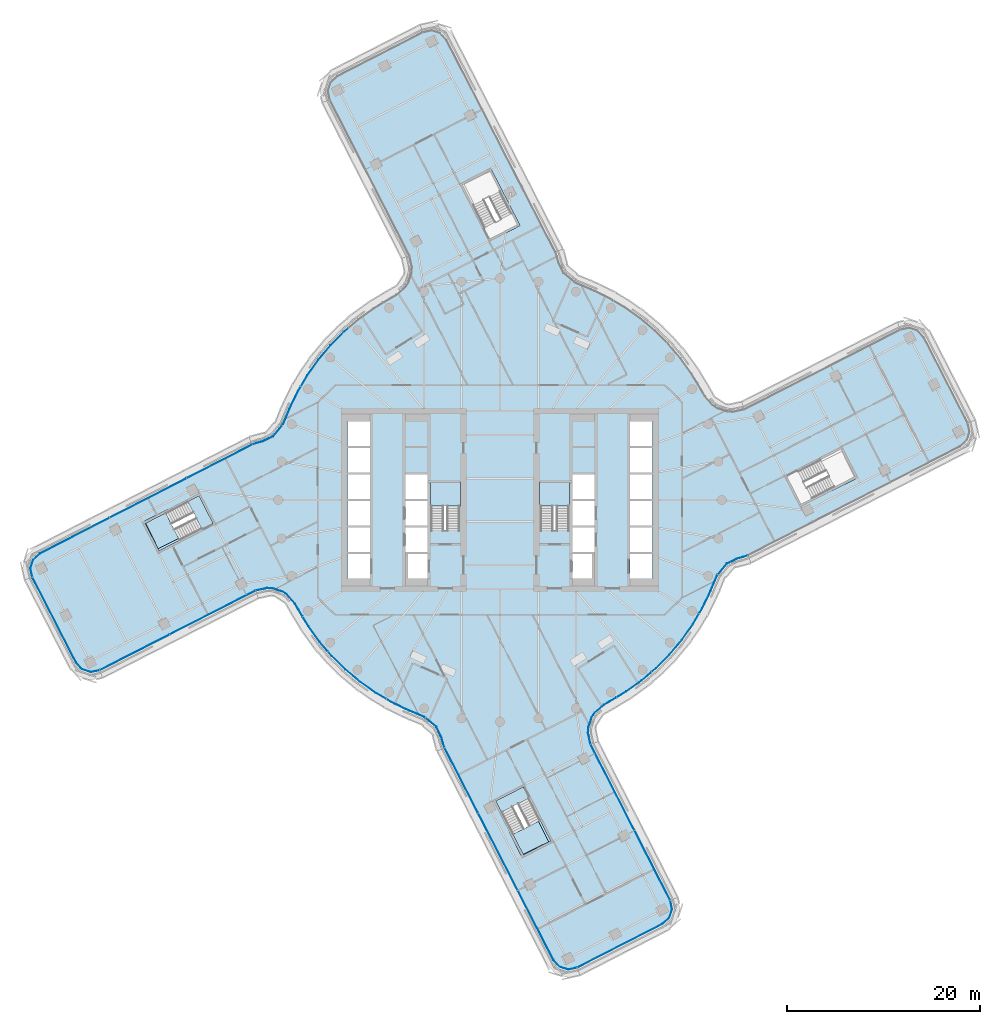
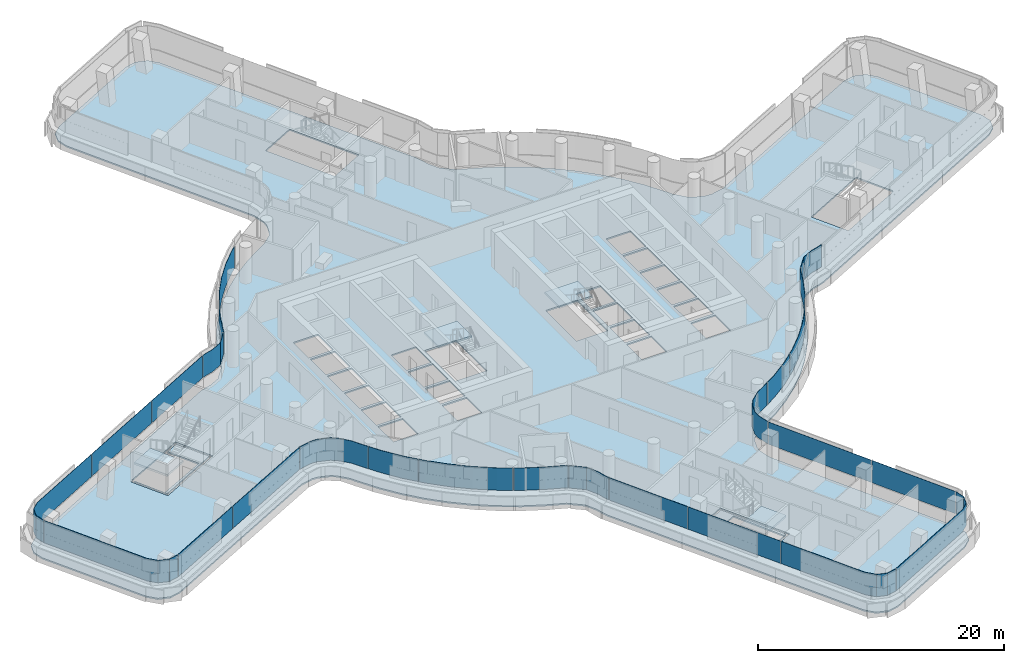
# One storey, part 20 of 37: 25 plates, 7 slabs, 13 elements without a shape of their own.
"""IFC4 building model written with IfcOpenShell, lengths in metres."""

import ifcopenshell
import ifcopenshell.guid

model = None  # the IFC model being written
_history = None  # IfcOwnerHistory: only IFC2X3 demands one
_inside = {}  # id of a spatial element -> (the spatial element, [elements in it])
_under = {}  # id of a project, library or spatial element -> (it, [spatial elements below it])
_declared = {}  # id of a project -> (the project, [libraries it declares])
_typed = {}  # id of a type object -> (the type object, [elements of that type])
_made_of = {}  # id of a material, layer set ... -> (it, [elements and type objects made of it])


def new_model(schema):
    """Start an empty IFC model of exactly this schema.

    Asked for "IFC4X3", IfcOpenShell would pick the latest addendum, in which some entities
    have other attributes; the version numbers below select the first issue.
    IFC2X3 requires an IfcOwnerHistory on every rooted entity: one is made here for all.
    """
    global model, _history
    if schema == "IFC4X3":
        model = ifcopenshell.file(schema_version=(4, 3, 0, 0))
    else:
        model = ifcopenshell.file(schema=schema)
    _inside.clear()
    _under.clear()
    _declared.clear()
    _typed.clear()
    _made_of.clear()
    _history = None
    if model.schema == "IFC2X3":
        org = make("IfcOrganization", Name="unknown")
        user = make(
            "IfcPersonAndOrganization",
            ThePerson=make("IfcPerson", FamilyName="unknown"),
            TheOrganization=org,
        )
        app = make(
            "IfcApplication",
            ApplicationDeveloper=org,
            Version="unknown",
            ApplicationFullName="unknown",
            ApplicationIdentifier="unknown",
        )
        _history = make(
            "IfcOwnerHistory",
            OwningUser=user,
            OwningApplication=app,
            ChangeAction="ADDED",
            CreationDate=0,
        )
    return model


def make(cls, **values):
    """One entity of the class cls with the attributes given. An attribute that is None is left unset."""
    return model.create_entity(
        cls, **{name: value for name, value in values.items() if value is not None}
    )


def rooted(cls, **values):
    """An entity with a GlobalId (a new one), such as an element, a storey or a relation."""
    return make(cls, GlobalId=ifcopenshell.guid.new(), OwnerHistory=_history, **values)


def si_unit(unit_type, name, prefix=None):
    """IfcSIUnit, for example si_unit("LENGTHUNIT", "METRE", prefix="MILLI")."""
    return make("IfcSIUnit", UnitType=unit_type, Prefix=prefix, Name=name)


def assignment(units):
    """IfcUnitAssignment: the units of a project."""
    return None if units is None else make("IfcUnitAssignment", Units=units)


def point(xyz):
    """IfcCartesianPoint."""
    return None if xyz is None else make("IfcCartesianPoint", Coordinates=xyz)


def direction(xyz):
    """IfcDirection."""
    return None if xyz is None else make("IfcDirection", DirectionRatios=xyz)


def frame(location, z_axis=None, x_axis=None):
    """IfcAxis2Placement3D, a coordinate frame: its origin and axes. An axis left out is left unset."""
    return make(
        "IfcAxis2Placement3D",
        Location=point(location),
        Axis=direction(z_axis),
        RefDirection=direction(x_axis),
    )


def origin():
    """The frame at (0, 0, 0) with its axes left unset."""
    return frame((0.0, 0.0, 0.0))


def place(relative_to, where):
    """IfcLocalPlacement: puts the frame where relative to a parent placement (None: the world)."""
    return make(
        "IfcLocalPlacement", PlacementRelTo=relative_to, RelativePlacement=where
    )


def context(
    kind, dimensions, precision=None, world=None, true_north=None, identifier=None
):
    """IfcGeometricRepresentationContext, for example the 3D "Model" context."""
    return make(
        "IfcGeometricRepresentationContext",
        ContextIdentifier=identifier,
        ContextType=kind,
        CoordinateSpaceDimension=dimensions,
        Precision=precision,
        WorldCoordinateSystem=world,
        TrueNorth=true_north,
    )


def subcontext(parent, identifier, kind, view, scale=None):
    """IfcGeometricRepresentationSubContext, for example "Body" below "Model"."""
    return make(
        "IfcGeometricRepresentationSubContext",
        ContextIdentifier=identifier,
        ContextType=kind,
        ParentContext=parent,
        TargetScale=scale,
        TargetView=view,
    )


def project(units=None, contexts=None):
    """IfcProject with its units and contexts."""
    return rooted(
        "IfcProject",
        Name="project",
        RepresentationContexts=contexts,
        UnitsInContext=assignment(units),
    )


def spatial(cls, under=None, at=None, **own):
    """A site, building, storey or space (cls), placed at a placement, below another one or the project."""
    s = rooted(cls, ObjectPlacement=at, **own)
    if under is not None:
        _under.setdefault(under.id(), (under, []))[1].append(s)
    return s


def polyline(points):
    """IfcPolyline through the points."""
    return make("IfcPolyline", Points=[point(p) for p in points])


def outline(outer, holes=None, kind="AREA"):
    """IfcArbitraryClosedProfileDef: a profile drawn as a closed curve; with holes, ...WithVoids."""
    if holes is None:
        return make("IfcArbitraryClosedProfileDef", ProfileType=kind, OuterCurve=outer)
    return make(
        "IfcArbitraryProfileDefWithVoids",
        ProfileType=kind,
        OuterCurve=outer,
        InnerCurves=holes,
    )


def extrude(swept, where, along, depth):
    """IfcExtrudedAreaSolid: the profile swept, set in the frame where, extruded along a direction by depth."""
    return make(
        "IfcExtrudedAreaSolid",
        SweptArea=swept,
        Position=where,
        ExtrudedDirection=direction(along),
        Depth=depth,
    )


def shape(context_of_items, identifier, shape_type, items):
    """IfcShapeRepresentation: the items that make up one representation, for example the "Body"."""
    return make(
        "IfcShapeRepresentation",
        ContextOfItems=context_of_items,
        RepresentationIdentifier=identifier,
        RepresentationType=shape_type,
        Items=items,
    )


def material(Name=None, Category=None):
    """IfcMaterial."""
    return make("IfcMaterial", Name=Name, Category=Category)


def layer(
    of_material, thickness, ventilated=None, Name=None, Category=None, Priority=None
):
    """IfcMaterialLayer: one layer of a wall or slab, of a material (None: an air gap)."""
    return make(
        "IfcMaterialLayer",
        Material=of_material,
        LayerThickness=thickness,
        IsVentilated=ventilated,
        Name=Name,
        Category=Category,
        Priority=Priority,
    )


def layer_set(layers, Name=None):
    """IfcMaterialLayerSet."""
    return make("IfcMaterialLayerSet", MaterialLayers=layers, LayerSetName=Name)


def made_of(thing, what):
    """Note that an element or type object is made of a material, layer set ...; save() writes the relation."""
    if what is not None:
        _made_of.setdefault(what.id(), (what, []))[1].append(thing)
    return thing


def type_object(cls, material=None, **own):
    """A type object (cls), such as IfcWallType, which elements share."""
    return made_of(rooted(cls, **own), material)


def element(
    cls,
    number,
    at=None,
    inside=None,
    cuts=None,
    type_object=None,
    material=None,
    context=None,
    identifier="Body",
    shape_type=None,
    held_by="IfcProductDefinitionShape",
    body=None,
    shapes=None,
    **own,
):
    """One element of the class cls, such as IfcWall. Its Tag is "e" and its number.

    at: its placement. inside: the storey or other place that contains it. cuts: it is an
    opening in that element (IfcRelVoidsElement). A single representation is given by context,
    identifier, shape_type and body (its items); several are given by shapes. held_by: the class
    of the entity that holds the representations. save() writes the other relations.
    """
    e = rooted(cls, Tag="e%d" % number, ObjectPlacement=at, **own)
    if body is not None:
        shapes = [shape(context, identifier, shape_type, body)]
    if shapes is not None:
        e.Representation = make(held_by, Representations=shapes)
    if inside is not None:
        _inside.setdefault(inside.id(), (inside, []))[1].append(e)
    if cuts is not None:
        rooted(
            "IfcRelVoidsElement", RelatingBuildingElement=cuts, RelatedOpeningElement=e
        )
    if type_object is not None:
        _typed.setdefault(type_object.id(), (type_object, []))[1].append(e)
    return made_of(e, material)


def aggregate(whole, parts):
    """IfcRelAggregates: a whole, such as a stair, and the parts it consists of."""
    return rooted("IfcRelAggregates", RelatingObject=whole, RelatedObjects=parts)


def save(model, path):
    """Write the relations noted so far, then the file.

    IfcRelAggregates (storeys below a building ...), IfcRelContainedInSpatialStructure (elements
    in a storey), IfcRelDefinesByType, IfcRelAssociatesMaterial and IfcRelDeclares: one each for
    every whole, place, type object, material and project.
    """
    for whole, parts in _under.values():
        aggregate(whole, parts)
    for where, things in _inside.values():
        rooted(
            "IfcRelContainedInSpatialStructure",
            RelatedElements=things,
            RelatingStructure=where,
        )
    for kind, things in _typed.values():
        rooted("IfcRelDefinesByType", RelatedObjects=things, RelatingType=kind)
    for what, things in _made_of.values():
        rooted("IfcRelAssociatesMaterial", RelatedObjects=things, RelatingMaterial=what)
    for by, libraries in _declared.values():
        rooted("IfcRelDeclares", RelatingContext=by, RelatedDefinitions=libraries)
    model.write(path)


model = new_model("IFC4")

# Units and contexts
model_context = context("Model", 3, precision=1e-05, world=origin(), true_north=direction((0.0, 1.0)))
body_context = subcontext(model_context, "Body", "Model", "MODEL_VIEW")
ifc_project = project(units=[si_unit("LENGTHUNIT", "METRE"), si_unit("AREAUNIT", "SQUARE_METRE"), si_unit("VOLUMEUNIT", "CUBIC_METRE"), si_unit("PLANEANGLEUNIT", "RADIAN"), si_unit("MASSUNIT", "GRAM", prefix="KILO")], contexts=[model_context])

# Site, building, storey
site_placement = place(None, origin())
site = spatial("IfcSite", under=ifc_project, at=site_placement, CompositionType="ELEMENT")
building_placement = place(site_placement, origin())
building = spatial("IfcBuilding", under=site, at=building_placement, Name="Tamarind Cross Interchange Tower", CompositionType="ELEMENT")
storey_placement = place(building_placement, frame((0.0, 0.0, 133.0)))
storey = spatial("IfcBuildingStorey", under=building, at=storey_placement, Name="L32", CompositionType="ELEMENT", Elevation=133.0)

# Slabs
ifc_material_1 = material(Name="Concrete C35", Category="concrete")
ifc_layer_1 = layer(ifc_material_1, 0.139892578125)
ifc_layer_set_1 = layer_set([ifc_layer_1], Name="Concrete C35")
slab_type_1 = type_object("IfcSlabType", Name="Composite slab 140 Concrete C35", PredefinedType="FLOOR", material=ifc_layer_set_1)
slab_1_placement = place(storey_placement, frame((0.0, 0.0, -0.139892578125)))
element("IfcSlab", 1, at=slab_1_placement, inside=storey, type_object=slab_type_1, Name="Floor slab L32", PredefinedType="FLOOR", context=body_context, shape_type="SweptSolid", body=[
    extrude(outline(polyline([(-25.289794921875, 6.10302734375), (-25.781494140625, 5.92724609375), (-47.822509765625, -5.383056640625), (-48.590087890625, -6.078125), (-48.906982421875, -7.063720703125), (-48.68896484375, -8.07568359375), (-44.123291015625, -16.97265625), (-43.428466796875, -17.739990234375), (-42.44287109375, -18.056884765625), (-41.430908203125, -17.8388671875), (-25.267333984375, -9.58349609375), (-24.12060546875, -9.340087890625), (-23.606689453125, -9.368896484375), (-22.621337890625, -9.696533203125), (-22.192626953125, -9.981201171875), (-21.419921875, -10.86279296875), (-21.054443359375, -11.511474609375), (-20.031982421875, -13.2109375), (-18.87255859375, -14.820068359375), (-17.584228515625, -16.327880859375), (-16.17578125, -17.72412109375), (-14.656982421875, -18.99951171875), (-13.0380859375, -20.14501953125), (-11.329833984375, -21.15283203125), (-9.54443359375, -22.01611328125), (-7.959228515625, -22.6669921875), (-6.756591796875, -23.6669921875), (-6.2724609375, -24.647216796875), (-6.10302734375, -25.289794921875), (-5.92724609375, -25.781494140625), (5.383056640625, -47.822509765625), (6.078125, -48.590087890625), (7.063720703125, -48.906982421875), (8.07568359375, -48.68896484375), (16.97265625, -44.123291015625), (17.739990234375, -43.428466796875), (18.056884765625, -42.44287109375), (17.8388671875, -41.430908203125), (9.58349609375, -25.267333984375), (9.340087890625, -24.12060546875), (9.368896484375, -23.606689453125), (9.696533203125, -22.621337890625), (9.981201171875, -22.192626953125), (10.86279296875, -21.419921875), (11.511474609375, -21.054443359375), (13.2109375, -20.031982421875), (14.820068359375, -18.87255859375), (16.327880859375, -17.584228515625), (17.72412109375, -16.17578125), (18.99951171875, -14.656982421875), (20.14501953125, -13.0380859375), (21.15283203125, -11.329833984375), (22.01611328125, -9.54443359375), (22.6669921875, -7.959228515625), (23.6669921875, -6.756591796875), (24.647216796875, -6.2724609375), (25.289794921875, -6.10302734375), (25.781494140625, -5.92724609375), (47.822509765625, 5.383056640625), (48.590087890625, 6.078125), (48.906982421875, 7.063720703125), (48.68896484375, 8.07568359375), (44.123291015625, 16.97265625), (43.428466796875, 17.739990234375), (42.44287109375, 18.056884765625), (41.430908203125, 17.8388671875), (25.267333984375, 9.58349609375), (24.12060546875, 9.340087890625), (23.606689453125, 9.368896484375), (22.621337890625, 9.696533203125), (22.192626953125, 9.981201171875), (21.419921875, 10.86279296875), (21.054443359375, 11.511474609375), (20.031982421875, 13.2109375), (18.87255859375, 14.820068359375), (17.584228515625, 16.327880859375), (16.17578125, 17.72412109375), (14.656982421875, 18.99951171875), (13.0380859375, 20.14501953125), (11.329833984375, 21.15283203125), (9.54443359375, 22.01611328125), (7.959228515625, 22.6669921875), (6.756591796875, 23.6669921875), (6.2724609375, 24.647216796875), (6.10302734375, 25.289794921875), (5.92724609375, 25.781494140625), (-5.383056640625, 47.822509765625), (-6.078125, 48.590087890625), (-7.063720703125, 48.906982421875), (-8.07568359375, 48.68896484375), (-16.97265625, 44.123291015625), (-17.739990234375, 43.428466796875), (-18.056884765625, 42.44287109375), (-17.8388671875, 41.430908203125), (-9.58349609375, 25.267333984375), (-9.340087890625, 24.12060546875), (-9.368896484375, 23.606689453125), (-9.696533203125, 22.621337890625), (-9.981201171875, 22.192626953125), (-10.86279296875, 21.419921875), (-11.511474609375, 21.054443359375), (-13.2109375, 20.031982421875), (-14.820068359375, 18.87255859375), (-16.327880859375, 17.584228515625), (-17.72412109375, 16.17578125), (-18.99951171875, 14.656982421875), (-20.14501953125, 13.0380859375), (-21.15283203125, 11.329833984375), (-22.01611328125, 9.54443359375), (-22.6669921875, 7.959228515625), (-23.6669921875, 6.756591796875), (-24.647216796875, 6.2724609375), (-25.289794921875, 6.10302734375)]), holes=[polyline([(-13.5, -8.125), (-15.800048828125, -8.125), (-15.800048828125, -5.625), (-13.5, -5.625), (-13.5, -8.125)]), polyline([(-7.5, -8.125), (-9.800048828125, -8.125), (-9.800048828125, -5.625), (-7.5, -5.625), (-7.5, -8.125)]), polyline([(-13.5, -5.375), (-15.800048828125, -5.375), (-15.800048828125, -2.875), (-13.5, -2.875), (-13.5, -5.375)]), polyline([(-29.487548828125, -2.493408203125), (-35.448486328125, -5.552490234375), (-35.539794921875, -5.37451171875), (-37.000732421875, -2.52734375), (-37.092041015625, -2.349365234375), (-36.83837890625, -2.21923828125), (-36.86474609375, -2.165283203125), (-33.9111328125, -0.717041015625), (-31.131103515625, 0.70947265625), (-31.039794921875, 0.531494140625), (-29.578857421875, -2.3154296875), (-29.487548828125, -2.493408203125)]), polyline([(-13.5, -2.625), (-15.800048828125, -2.625), (-15.800048828125, -0.125), (-13.5, -0.125), (-13.5, -2.625)]), polyline([(-7.5, -2.625), (-9.800048828125, -2.625), (-9.800048828125, -0.125), (-7.5, -0.125), (-7.5, -2.625)]), polyline([(-13.5, 0.125), (-15.800048828125, 0.125), (-15.800048828125, 2.625), (-13.5, 2.625), (-13.5, 0.125)]), polyline([(-7.5, 0.125), (-9.800048828125, 0.125), (-9.800048828125, 2.625), (-7.5, 2.625), (-7.5, 0.125)]), polyline([(-13.5, 2.875), (-15.800048828125, 2.875), (-15.800048828125, 5.375), (-13.5, 5.375), (-13.5, 2.875)]), polyline([(-15.800048828125, 5.625), (-15.800048828125, 8.125), (-13.5, 8.125), (-13.5, 5.625), (-15.800048828125, 5.625)]), polyline([(5.552490234375, -35.448486328125), (5.37451171875, -35.539794921875), (2.52734375, -37.000732421875), (2.349365234375, -37.092041015625), (2.21923828125, -36.83837890625), (2.165283203125, -36.86474609375), (0.717041015625, -33.9111328125), (-0.70947265625, -31.131103515625), (-0.531494140625, -31.039794921875), (2.3154296875, -29.578857421875), (2.493408203125, -29.487548828125), (5.552490234375, -35.448486328125)]), polyline([(-9.800048828125, -5.375), (-9.800048828125, -2.875), (-7.5, -2.875), (-7.5, -5.375), (-9.800048828125, -5.375)]), polyline([(-4.199951171875, -3.18798828125), (-7.14990234375, -3.18798828125), (-7.14990234375, 1.800048828125), (-4.199951171875, 1.800048828125), (-4.199951171875, -3.18798828125)]), polyline([(7.14990234375, 1.800048828125), (7.14990234375, -3.18798828125), (4.199951171875, -3.18798828125), (4.199951171875, 1.800048828125), (7.14990234375, 1.800048828125)]), polyline([(7.5, 2.625), (9.800048828125, 2.625), (9.800048828125, 0.125), (7.5, 0.125), (7.5, 2.625)]), polyline([(-0.717041015625, 33.910888671875), (2.0791015625, 28.4619140625), (1.901123046875, 28.37060546875), (-0.94580078125, 26.90966796875), (-1.123779296875, 26.818359375), (-4.1826171875, 32.779296875), (-4.0048828125, 32.87060546875), (-1.15771484375, 34.331787109375), (-0.979736328125, 34.423095703125), (-0.849365234375, 34.168701171875), (-0.844482421875, 34.171142578125), (-0.717041015625, 33.910888671875)]), polyline([(7.5, -5.625), (9.800048828125, -5.625), (9.800048828125, -8.125), (7.5, -8.125), (7.5, -5.625)]), polyline([(15.800048828125, -5.625), (15.800048828125, -8.125), (13.5, -8.125), (13.5, -5.625), (15.800048828125, -5.625)]), polyline([(9.800048828125, -2.875), (9.800048828125, -5.375), (7.5, -5.375), (7.5, -2.875), (9.800048828125, -2.875)]), polyline([(13.5, -2.875), (15.800048828125, -2.875), (15.800048828125, -5.375), (13.5, -5.375), (13.5, -2.875)]), polyline([(7.5, -0.125), (9.800048828125, -0.125), (9.800048828125, -2.625), (7.5, -2.625), (7.5, -0.125)]), polyline([(13.5, -0.125), (15.800048828125, -0.125), (15.800048828125, -2.625), (13.5, -2.625), (13.5, -0.125)]), polyline([(33.9111328125, 0.717041015625), (31.131103515625, -0.70947265625), (31.039794921875, -0.531494140625), (29.578857421875, 2.3154296875), (29.487548828125, 2.493408203125), (35.448486328125, 5.552490234375), (35.539794921875, 5.37451171875), (37.000732421875, 2.52734375), (37.092041015625, 2.349365234375), (36.83837890625, 2.21923828125), (36.86474609375, 2.165283203125), (33.9111328125, 0.717041015625)]), polyline([(13.5, 2.625), (15.800048828125, 2.625), (15.800048828125, 0.125), (13.5, 0.125), (13.5, 2.625)]), polyline([(15.800048828125, 5.375), (15.800048828125, 2.875), (13.5, 2.875), (13.5, 5.375), (15.800048828125, 5.375)]), polyline([(15.800048828125, 8.125), (15.800048828125, 5.625), (13.5, 5.625), (13.5, 8.125), (15.800048828125, 8.125)])]), origin(), (0.0, 0.0, 1.0), 0.139892578125),
])
slab_2_placement = place(storey_placement, frame((0.0, 0.0, -0.139892578125)))
element("IfcSlab", 2, at=slab_2_placement, inside=storey, type_object=slab_type_1, Name="Floor slab L32", PredefinedType="FLOOR", context=body_context, shape_type="SweptSolid", body=[
    extrude(outline(polyline([(-29.756591796875, -2.40673828125), (-31.2177734375, 0.440185546875), (-32.311767578125, -0.12109375), (-32.385009765625, -0.15869140625), (-31.001708984375, -2.8544921875), (-35.4560546875, -5.03857421875), (-36.750244140625, -2.39892578125), (-36.82275390625, -2.43603515625), (-35.36181640625, -5.283203125), (-29.756591796875, -2.40673828125)])), origin(), (0.0, 0.0, 1.0), 0.139892578125),
])
slab_3_placement = place(storey_placement, frame((0.0, 0.0, -0.139892578125)))
element("IfcSlab", 3, at=slab_3_placement, inside=storey, type_object=slab_type_1, Name="Floor slab L32", PredefinedType="FLOOR", context=body_context, shape_type="SweptSolid", body=[
    extrude(outline(polyline([(2.40673828125, -29.756591796875), (-0.440185546875, -31.2177734375), (0.12109375, -32.311767578125), (0.15869140625, -32.385009765625), (2.8544921875, -31.001708984375), (5.03857421875, -35.4560546875), (2.39892578125, -36.750244140625), (2.43603515625, -36.82275390625), (5.283203125, -35.36181640625), (2.40673828125, -29.756591796875)])), origin(), (0.0, 0.0, 1.0), 0.139892578125),
])

# Stair, slab
ifc_material_2 = material(Name="Exit stair")
stair_type = type_object("IfcStairType", Name="Exit stair", PredefinedType="HALF_TURN_STAIR", material=ifc_material_2)
stair_1_placement = place(storey_placement, origin())
stair_1 = element("IfcStair", 4, at=stair_1_placement, inside=storey, type_object=stair_type, Name="L32 exit stair ST1", PredefinedType="HALF_TURN_STAIR")
ifc_material_3 = material(Name="Concrete C40", Category="concrete")
ifc_layer_2 = layer(ifc_material_3, 0.199951171875)
ifc_layer_set_2 = layer_set([ifc_layer_2], Name="Concrete C40")
slab_type_2 = type_object("IfcSlabType", Name="Stair landing", PredefinedType="LANDING", material=ifc_layer_set_2)
slab_4_placement = place(storey_placement, frame((0.0, 0.0, 1.675048828125)))
slab_4 = element("IfcSlab", 5, at=slab_4_placement, type_object=slab_type_2, Name="ST1 landing 1", PredefinedType="LANDING", context=body_context, shape_type="SweptSolid", body=[
    extrude(outline(polyline([(-4.10009765625, -0.60009765625), (-4.10009765625, 1.800048828125), (-7.199951171875, 1.800048828125), (-7.199951171875, -0.60009765625), (-4.10009765625, -0.60009765625)])), origin(), (0.0, 0.0, 1.0), 0.199951171875),
])
aggregate(stair_1, [slab_4])

stair_2_placement = place(storey_placement, origin())
stair_2 = element("IfcStair", 6, at=stair_2_placement, inside=storey, type_object=stair_type, Name="L32 exit stair ST2", PredefinedType="HALF_TURN_STAIR")
slab_5_placement = place(storey_placement, frame((0.0, 0.0, 1.675048828125)))
slab_5 = element("IfcSlab", 7, at=slab_5_placement, type_object=slab_type_2, Name="ST2 landing 1", PredefinedType="LANDING", context=body_context, shape_type="SweptSolid", body=[
    extrude(outline(polyline([(7.199951171875, -0.60009765625), (7.199951171875, 1.800048828125), (4.10009765625, 1.800048828125), (4.10009765625, -0.60009765625), (7.199951171875, -0.60009765625)])), origin(), (0.0, 0.0, 1.0), 0.199951171875),
])
aggregate(stair_2, [slab_5])

stair_3_placement = place(storey_placement, origin())
stair_3 = element("IfcStair", 8, at=stair_3_placement, inside=storey, type_object=stair_type, Name="L32 exit stair ST5", PredefinedType="HALF_TURN_STAIR")
slab_6_placement = place(storey_placement, frame((0.0, 0.0, 1.675048828125)))
slab_6 = element("IfcSlab", 9, at=slab_6_placement, type_object=slab_type_2, Name="ST5 landing 1", PredefinedType="LANDING", context=body_context, shape_type="SweptSolid", body=[
    extrude(outline(polyline([(-34.6767578125, -1.3349609375), (-36.82275390625, -2.43603515625), (-35.36181640625, -5.283203125), (-33.2158203125, -4.181884765625), (-34.6767578125, -1.3349609375)])), origin(), (0.0, 0.0, 1.0), 0.199951171875),
])
aggregate(stair_3, [slab_6])

stair_4_placement = place(storey_placement, origin())
stair_4 = element("IfcStair", 10, at=stair_4_placement, inside=storey, type_object=stair_type, Name="L32 exit stair ST6", PredefinedType="HALF_TURN_STAIR")
slab_7_placement = place(storey_placement, frame((0.0, 0.0, 1.675048828125)))
slab_7 = element("IfcSlab", 11, at=slab_7_placement, type_object=slab_type_2, Name="ST6 landing 1", PredefinedType="LANDING", context=body_context, shape_type="SweptSolid", body=[
    extrude(outline(polyline([(1.3349609375, -34.6767578125), (2.43603515625, -36.82275390625), (5.283203125, -35.36181640625), (4.181884765625, -33.2158203125), (1.3349609375, -34.6767578125)])), origin(), (0.0, 0.0, 1.0), 0.199951171875),
])
aggregate(stair_4, [slab_7])

# Curtain wall, plate
ifc_material_4 = material(Name="Aluminium 6063-T6", Category="aluminium")
ifc_layer_3 = layer(ifc_material_4, 0.159912109375)
ifc_layer_set_3 = layer_set([ifc_layer_3], Name="Aluminium 6063-T6")
curtain_wall_type_1 = type_object("IfcCurtainWallType", Name="Office curtain wall, 9.0 m bays", PredefinedType="NOTDEFINED", material=ifc_layer_set_3)
curtain_wall_1_placement = place(storey_placement, origin())
curtain_wall_1 = element("IfcCurtainWall", 12, at=curtain_wall_1_placement, inside=storey, type_object=curtain_wall_type_1, Name="CWS-L32-00", PredefinedType="NOTDEFINED")
ifc_material_5 = material(Name="Laminated low-e glass 8+1.52+8", Category="glass")
ifc_layer_4 = layer(ifc_material_5, 0.028076171875)
ifc_layer_set_4 = layer_set([ifc_layer_4], Name="Laminated low-e glass 8+1.52+8")
plate_type_1 = type_object("IfcPlateType", Name="Vision panel CW1", PredefinedType="CURTAIN_PANEL", material=ifc_layer_set_4)
plate_1_placement = place(storey_placement, frame((0.0, 0.0, 1.39990234375)))
plate_1 = element("IfcPlate", 13, at=plate_1_placement, type_object=plate_type_1, Name="CWP-L32-00-00", PredefinedType="CURTAIN_PANEL", context=body_context, shape_type="SweptSolid", body=[
    extrude(outline(polyline([(-48.47265625, -8.028076171875), (-43.94580078125, -16.849853515625), (-43.308349609375, -17.5537109375), (-42.431884765625, -17.835693359375), (-41.53076171875, -17.6416015625), (-41.52490234375, -17.6689453125), (-42.433349609375, -17.86474609375), (-43.323974609375, -17.578125), (-43.968994140625, -16.865966796875), (-48.497802734375, -8.040771484375), (-48.47265625, -8.028076171875)])), origin(), (0.0, 0.0, 1.0), 2.210205078125),
])
aggregate(curtain_wall_1, [plate_1])

# Curtain wall, plates
curtain_wall_2_placement = place(storey_placement, origin())
curtain_wall_2 = element("IfcCurtainWall", 14, at=curtain_wall_2_placement, inside=storey, type_object=curtain_wall_type_1, Name="CWS-L32-01", PredefinedType="NOTDEFINED")
plate_2_placement = place(storey_placement, frame((0.0, 0.0, 1.39990234375)))
plate_2 = element("IfcPlate", 15, at=plate_2_placement, type_object=plate_type_1, Name="CWP-L32-01-00", PredefinedType="CURTAIN_PANEL", context=body_context, shape_type="SweptSolid", body=[
    extrude(outline(polyline([(-41.478271484375, -17.622802734375), (-34.289306640625, -13.951171875), (-34.276611328125, -13.97607421875), (-41.465576171875, -17.647705078125), (-41.478271484375, -17.622802734375)])), origin(), (0.0, 0.0, 1.0), 2.210205078125),
])
plate_3_placement = place(storey_placement, frame((0.0, 0.0, 1.39990234375)))
plate_3 = element("IfcPlate", 16, at=plate_3_placement, type_object=plate_type_1, Name="CWP-L32-01-01", PredefinedType="CURTAIN_PANEL", context=body_context, shape_type="SweptSolid", body=[
    extrude(outline(polyline([(-34.236083984375, -13.923828125), (-25.367919921875, -9.39453125), (-25.35498046875, -9.41943359375), (-34.22314453125, -13.94873046875), (-34.236083984375, -13.923828125)])), origin(), (0.0, 0.0, 1.0), 2.210205078125),
])
aggregate(curtain_wall_2, [plate_2, plate_3])

curtain_wall_3_placement = place(storey_placement, origin())
curtain_wall_3 = element("IfcCurtainWall", 17, at=curtain_wall_3_placement, inside=storey, type_object=curtain_wall_type_1, Name="CWS-L32-03", PredefinedType="NOTDEFINED")
plate_4_placement = place(storey_placement, frame((0.0, 0.0, 1.39990234375)))
plate_4 = element("IfcPlate", 18, at=plate_4_placement, type_object=plate_type_1, Name="CWP-L32-03-00", PredefinedType="CURTAIN_PANEL", context=body_context, shape_type="SweptSolid", body=[
    extrude(outline(polyline([(-5.71728515625, -25.72216796875), (-2.261474609375, -32.456787109375), (-2.286376953125, -32.469482421875), (-5.7421875, -25.73486328125), (-5.71728515625, -25.72216796875)])), origin(), (0.0, 0.0, 1.0), 2.210205078125),
])
plate_5_placement = place(storey_placement, frame((0.0, 0.0, 1.39990234375)))
plate_5 = element("IfcPlate", 19, at=plate_5_placement, type_object=plate_type_1, Name="CWP-L32-03-01", PredefinedType="CURTAIN_PANEL", context=body_context, shape_type="SweptSolid", body=[
    extrude(outline(polyline([(-2.23388671875, -32.51025390625), (1.841064453125, -40.451171875), (1.816162109375, -40.464111328125), (-2.2587890625, -32.52294921875), (-2.23388671875, -32.51025390625)])), origin(), (0.0, 0.0, 1.0), 2.210205078125),
])
plate_6_placement = place(storey_placement, frame((0.0, 0.0, 1.39990234375)))
plate_6 = element("IfcPlate", 20, at=plate_6_placement, type_object=plate_type_1, Name="CWP-L32-03-02", PredefinedType="CURTAIN_PANEL", context=body_context, shape_type="SweptSolid", body=[
    extrude(outline(polyline([(1.868408203125, -40.504638671875), (5.560546875, -47.699951171875), (6.1982421875, -48.40380859375), (7.074462890625, -48.685791015625), (7.975341796875, -48.491455078125), (7.9814453125, -48.51904296875), (7.072998046875, -48.714599609375), (6.182373046875, -48.42822265625), (5.537353515625, -47.7158203125), (1.843505859375, -40.517333984375), (1.868408203125, -40.504638671875)])), origin(), (0.0, 0.0, 1.0), 2.210205078125),
])
aggregate(curtain_wall_3, [plate_4, plate_5, plate_6])

# Curtain wall, plate
curtain_wall_4_placement = place(storey_placement, origin())
curtain_wall_4 = element("IfcCurtainWall", 21, at=curtain_wall_4_placement, inside=storey, type_object=curtain_wall_type_1, Name="CWS-L32-04", PredefinedType="NOTDEFINED")
plate_7_placement = place(storey_placement, frame((0.0, 0.0, 1.39990234375)))
plate_7 = element("IfcPlate", 22, at=plate_7_placement, type_object=plate_type_1, Name="CWP-L32-04-00", PredefinedType="CURTAIN_PANEL", context=body_context, shape_type="SweptSolid", body=[
    extrude(outline(polyline([(8.028076171875, -48.47265625), (16.849853515625, -43.94580078125), (17.5537109375, -43.308349609375), (17.835693359375, -42.431884765625), (17.6416015625, -41.53076171875), (17.6689453125, -41.52490234375), (17.86474609375, -42.433349609375), (17.578125, -43.323974609375), (16.865966796875, -43.968994140625), (8.040771484375, -48.497802734375), (8.028076171875, -48.47265625)])), origin(), (0.0, 0.0, 1.0), 2.210205078125),
])
aggregate(curtain_wall_4, [plate_7])

# Curtain wall, plates
curtain_wall_5_placement = place(storey_placement, origin())
curtain_wall_5 = element("IfcCurtainWall", 23, at=curtain_wall_5_placement, inside=storey, type_object=curtain_wall_type_1, Name="CWS-L32-05", PredefinedType="NOTDEFINED")
plate_8_placement = place(storey_placement, frame((0.0, 0.0, 1.39990234375)))
plate_8 = element("IfcPlate", 24, at=plate_8_placement, type_object=plate_type_1, Name="CWP-L32-05-00", PredefinedType="CURTAIN_PANEL", context=body_context, shape_type="SweptSolid", body=[
    extrude(outline(polyline([(17.622802734375, -41.478271484375), (13.951171875, -34.289306640625), (13.97607421875, -34.276611328125), (17.647705078125, -41.465576171875), (17.622802734375, -41.478271484375)])), origin(), (0.0, 0.0, 1.0), 2.210205078125),
])
plate_9_placement = place(storey_placement, frame((0.0, 0.0, 1.39990234375)))
plate_9 = element("IfcPlate", 25, at=plate_9_placement, type_object=plate_type_1, Name="CWP-L32-05-01", PredefinedType="CURTAIN_PANEL", context=body_context, shape_type="SweptSolid", body=[
    extrude(outline(polyline([(13.923828125, -34.236083984375), (9.39453125, -25.367919921875), (9.41943359375, -25.35498046875), (13.94873046875, -34.22314453125), (13.923828125, -34.236083984375)])), origin(), (0.0, 0.0, 1.0), 2.210205078125),
])
aggregate(curtain_wall_5, [plate_8, plate_9])

curtain_wall_6_placement = place(storey_placement, origin())
curtain_wall_6 = element("IfcCurtainWall", 26, at=curtain_wall_6_placement, inside=storey, type_object=curtain_wall_type_1, Name="CWS-L32-15", PredefinedType="NOTDEFINED")
plate_10_placement = place(storey_placement, frame((0.0, 0.0, 1.39990234375)))
plate_10 = element("IfcPlate", 27, at=plate_10_placement, type_object=plate_type_1, Name="CWP-L32-15-00", PredefinedType="CURTAIN_PANEL", context=body_context, shape_type="SweptSolid", body=[
    extrude(outline(polyline([(-25.72216796875, 5.71728515625), (-32.456787109375, 2.261474609375), (-32.469482421875, 2.286376953125), (-25.73486328125, 5.7421875), (-25.72216796875, 5.71728515625)])), origin(), (0.0, 0.0, 1.0), 2.210205078125),
])
plate_11_placement = place(storey_placement, frame((0.0, 0.0, 1.39990234375)))
plate_11 = element("IfcPlate", 28, at=plate_11_placement, type_object=plate_type_1, Name="CWP-L32-15-01", PredefinedType="CURTAIN_PANEL", context=body_context, shape_type="SweptSolid", body=[
    extrude(outline(polyline([(-32.51025390625, 2.23388671875), (-40.451171875, -1.841064453125), (-40.464111328125, -1.816162109375), (-32.52294921875, 2.2587890625), (-32.51025390625, 2.23388671875)])), origin(), (0.0, 0.0, 1.0), 2.210205078125),
])
plate_12_placement = place(storey_placement, frame((0.0, 0.0, 1.39990234375)))
plate_12 = element("IfcPlate", 29, at=plate_12_placement, type_object=plate_type_1, Name="CWP-L32-15-02", PredefinedType="CURTAIN_PANEL", context=body_context, shape_type="SweptSolid", body=[
    extrude(outline(polyline([(-40.504638671875, -1.868408203125), (-47.699951171875, -5.560546875), (-48.40380859375, -6.1982421875), (-48.685791015625, -7.074462890625), (-48.491455078125, -7.975341796875), (-48.51904296875, -7.9814453125), (-48.714599609375, -7.072998046875), (-48.42822265625, -6.182373046875), (-47.7158203125, -5.537353515625), (-40.517333984375, -1.843505859375), (-40.504638671875, -1.868408203125)])), origin(), (0.0, 0.0, 1.0), 2.210205078125),
])
aggregate(curtain_wall_6, [plate_10, plate_11, plate_12])

ifc_layer_5 = layer(ifc_material_4, 0.14990234375)
ifc_layer_set_5 = layer_set([ifc_layer_5], Name="Aluminium 6063-T6")
curtain_wall_type_2 = type_object("IfcCurtainWallType", Name="Winter garden and crown curtain wall", PredefinedType="NOTDEFINED", material=ifc_layer_set_5)
curtain_wall_7_placement = place(storey_placement, origin())
curtain_wall_7 = element("IfcCurtainWall", 30, at=curtain_wall_7_placement, inside=storey, type_object=curtain_wall_type_2, Name="CWS-L32-02", PredefinedType="NOTDEFINED")
ifc_layer_6 = layer(ifc_material_5, 0.030029296875)
ifc_layer_set_6 = layer_set([ifc_layer_6], Name="Laminated low-e glass 8+1.52+8")
plate_type_2 = type_object("IfcPlateType", Name="Vision panel CW6", PredefinedType="CURTAIN_PANEL", material=ifc_layer_set_6)
plate_13_placement = place(storey_placement, frame((0.0, 0.0, 1.39990234375)))
plate_13 = element("IfcPlate", 31, at=plate_13_placement, type_object=plate_type_2, Name="CWP-L32-02-00", PredefinedType="CURTAIN_PANEL", context=body_context, shape_type="SweptSolid", body=[
    extrude(outline(polyline([(-25.30859375, -9.37255859375), (-24.13720703125, -9.1240234375), (-23.566162109375, -9.156005859375), (-22.5263671875, -9.501708984375), (-22.0498046875, -9.81787109375), (-21.243408203125, -10.73779296875), (-20.86865234375, -11.4033203125), (-20.461669921875, -12.079833984375), (-20.4873046875, -12.09521484375), (-20.89453125, -11.41845703125), (-21.26806640625, -10.75537109375), (-22.06982421875, -9.8408203125), (-22.53955078125, -9.52880859375), (-23.57177734375, -9.185791015625), (-24.134765625, -9.154052734375), (-25.30224609375, -9.40185546875), (-25.30859375, -9.37255859375)])), origin(), (0.0, 0.0, 1.0), 2.210205078125),
])
plate_14_placement = place(storey_placement, frame((0.0, 0.0, 1.39990234375)))
plate_14 = element("IfcPlate", 32, at=plate_14_placement, type_object=plate_type_2, Name="CWP-L32-02-01", PredefinedType="CURTAIN_PANEL", context=body_context, shape_type="SweptSolid", body=[
    extrude(outline(polyline([(-20.4306640625, -12.131103515625), (-19.852294921875, -13.09228515625), (-18.703369140625, -14.68701171875), (-17.845458984375, -15.691162109375), (-17.868408203125, -15.710693359375), (-18.72705078125, -14.70556640625), (-19.87744140625, -13.10888671875), (-20.456298828125, -12.146728515625), (-20.4306640625, -12.131103515625)])), origin(), (0.0, 0.0, 1.0), 2.210205078125),
])
plate_15_placement = place(storey_placement, frame((0.0, 0.0, 1.39990234375)))
plate_15 = element("IfcPlate", 33, at=plate_15_placement, type_object=plate_type_2, Name="CWP-L32-02-02", PredefinedType="CURTAIN_PANEL", context=body_context, shape_type="SweptSolid", body=[
    extrude(outline(polyline([(-17.806640625, -15.73681640625), (-17.426513671875, -16.181396484375), (-16.03076171875, -17.565185546875), (-14.525634765625, -18.8291015625), (-12.921142578125, -19.96435546875), (-11.802734375, -20.6240234375), (-11.81787109375, -20.64990234375), (-12.937255859375, -19.989501953125), (-14.5439453125, -18.852783203125), (-16.051025390625, -17.58740234375), (-17.448486328125, -16.201904296875), (-17.829345703125, -15.756103515625), (-17.806640625, -15.73681640625)])), origin(), (0.0, 0.0, 1.0), 2.210205078125),
])
plate_16_placement = place(storey_placement, frame((0.0, 0.0, 1.39990234375)))
plate_16 = element("IfcPlate", 34, at=plate_16_placement, type_object=plate_type_2, Name="CWP-L32-02-03", PredefinedType="CURTAIN_PANEL", context=body_context, shape_type="SweptSolid", body=[
    extrude(outline(polyline([(-11.7509765625, -20.654541015625), (-11.228271484375, -20.963134765625), (-9.456787109375, -21.81982421875), (-7.84716796875, -22.480712890625), (-7.75, -22.561279296875), (-7.769287109375, -22.58447265625), (-7.86279296875, -22.506591796875), (-9.468994140625, -21.84716796875), (-11.242431640625, -20.989501953125), (-11.766357421875, -20.680419921875), (-11.7509765625, -20.654541015625)])), origin(), (0.0, 0.0, 1.0), 2.210205078125),
])
plate_17_placement = place(storey_placement, frame((0.0, 0.0, 1.39990234375)))
plate_17 = element("IfcPlate", 35, at=plate_17_placement, type_object=plate_type_2, Name="CWP-L32-02-04", PredefinedType="CURTAIN_PANEL", context=body_context, shape_type="SweptSolid", body=[
    extrude(outline(polyline([(-7.703857421875, -22.599609375), (-6.584228515625, -23.531005859375), (-6.070068359375, -24.571533203125), (-5.8974609375, -25.22607421875), (-5.739501953125, -25.66845703125), (-5.767578125, -25.6787109375), (-5.92626953125, -25.235107421875), (-6.09814453125, -24.58203125), (-6.608154296875, -23.550048828125), (-7.72314453125, -22.622802734375), (-7.703857421875, -22.599609375)])), origin(), (0.0, 0.0, 1.0), 2.210205078125),
])
aggregate(curtain_wall_7, [plate_13, plate_14, plate_15, plate_16, plate_17])

curtain_wall_8_placement = place(storey_placement, origin())
curtain_wall_8 = element("IfcCurtainWall", 36, at=curtain_wall_8_placement, inside=storey, type_object=curtain_wall_type_2, Name="CWS-L32-06", PredefinedType="NOTDEFINED")
plate_18_placement = place(storey_placement, frame((0.0, 0.0, 1.39990234375)))
plate_18 = element("IfcPlate", 37, at=plate_18_placement, type_object=plate_type_2, Name="CWP-L32-06-00", PredefinedType="CURTAIN_PANEL", context=body_context, shape_type="SweptSolid", body=[
    extrude(outline(polyline([(9.37255859375, -25.30859375), (9.1240234375, -24.13720703125), (9.156005859375, -23.566162109375), (9.501708984375, -22.5263671875), (9.81787109375, -22.0498046875), (10.73779296875, -21.243408203125), (11.4033203125, -20.86865234375), (12.079833984375, -20.461669921875), (12.09521484375, -20.4873046875), (11.41845703125, -20.89453125), (10.75537109375, -21.26806640625), (9.8408203125, -22.06982421875), (9.52880859375, -22.53955078125), (9.185791015625, -23.57177734375), (9.154052734375, -24.134765625), (9.40185546875, -25.30224609375), (9.37255859375, -25.30859375)])), origin(), (0.0, 0.0, 1.0), 2.210205078125),
])
plate_19_placement = place(storey_placement, frame((0.0, 0.0, 1.39990234375)))
plate_19 = element("IfcPlate", 38, at=plate_19_placement, type_object=plate_type_2, Name="CWP-L32-06-01", PredefinedType="CURTAIN_PANEL", context=body_context, shape_type="SweptSolid", body=[
    extrude(outline(polyline([(12.131103515625, -20.4306640625), (13.09228515625, -19.852294921875), (14.68701171875, -18.703369140625), (15.691162109375, -17.845458984375), (15.710693359375, -17.868408203125), (14.70556640625, -18.72705078125), (13.10888671875, -19.87744140625), (12.146728515625, -20.456298828125), (12.131103515625, -20.4306640625)])), origin(), (0.0, 0.0, 1.0), 2.210205078125),
])
plate_20_placement = place(storey_placement, frame((0.0, 0.0, 1.39990234375)))
plate_20 = element("IfcPlate", 39, at=plate_20_placement, type_object=plate_type_2, Name="CWP-L32-06-02", PredefinedType="CURTAIN_PANEL", context=body_context, shape_type="SweptSolid", body=[
    extrude(outline(polyline([(15.73681640625, -17.806640625), (16.181396484375, -17.426513671875), (17.565185546875, -16.03076171875), (18.8291015625, -14.525634765625), (19.96435546875, -12.921142578125), (20.6240234375, -11.802734375), (20.64990234375, -11.81787109375), (19.989501953125, -12.937255859375), (18.852783203125, -14.5439453125), (17.58740234375, -16.051025390625), (16.201904296875, -17.448486328125), (15.756103515625, -17.829345703125), (15.73681640625, -17.806640625)])), origin(), (0.0, 0.0, 1.0), 2.210205078125),
])
plate_21_placement = place(storey_placement, frame((0.0, 0.0, 1.39990234375)))
plate_21 = element("IfcPlate", 40, at=plate_21_placement, type_object=plate_type_2, Name="CWP-L32-06-03", PredefinedType="CURTAIN_PANEL", context=body_context, shape_type="SweptSolid", body=[
    extrude(outline(polyline([(20.654541015625, -11.7509765625), (20.963134765625, -11.228271484375), (21.81982421875, -9.456787109375), (22.480712890625, -7.84716796875), (22.561279296875, -7.75), (22.58447265625, -7.769287109375), (22.506591796875, -7.86279296875), (21.84716796875, -9.468994140625), (20.989501953125, -11.242431640625), (20.680419921875, -11.766357421875), (20.654541015625, -11.7509765625)])), origin(), (0.0, 0.0, 1.0), 2.210205078125),
])
plate_22_placement = place(storey_placement, frame((0.0, 0.0, 1.39990234375)))
plate_22 = element("IfcPlate", 41, at=plate_22_placement, type_object=plate_type_2, Name="CWP-L32-06-04", PredefinedType="CURTAIN_PANEL", context=body_context, shape_type="SweptSolid", body=[
    extrude(outline(polyline([(22.599609375, -7.703857421875), (23.531005859375, -6.584228515625), (24.571533203125, -6.070068359375), (25.22607421875, -5.8974609375), (25.66845703125, -5.739501953125), (25.6787109375, -5.767578125), (25.235107421875, -5.92626953125), (24.58203125, -6.09814453125), (23.550048828125, -6.608154296875), (22.622802734375, -7.72314453125), (22.599609375, -7.703857421875)])), origin(), (0.0, 0.0, 1.0), 2.210205078125),
])
aggregate(curtain_wall_8, [plate_18, plate_19, plate_20, plate_21, plate_22])

curtain_wall_9_placement = place(storey_placement, origin())
curtain_wall_9 = element("IfcCurtainWall", 42, at=curtain_wall_9_placement, inside=storey, type_object=curtain_wall_type_2, Name="CWS-L32-14", PredefinedType="NOTDEFINED")
plate_23_placement = place(storey_placement, frame((0.0, 0.0, 1.39990234375)))
plate_23 = element("IfcPlate", 43, at=plate_23_placement, type_object=plate_type_2, Name="CWP-L32-14-02", PredefinedType="CURTAIN_PANEL", context=body_context, shape_type="SweptSolid", body=[
    extrude(outline(polyline([(-15.73681640625, 17.806640625), (-16.181396484375, 17.426513671875), (-17.565185546875, 16.03076171875), (-18.8291015625, 14.525634765625), (-19.96435546875, 12.921142578125), (-20.6240234375, 11.802734375), (-20.64990234375, 11.81787109375), (-19.989501953125, 12.937255859375), (-18.852783203125, 14.5439453125), (-17.58740234375, 16.051025390625), (-16.201904296875, 17.448486328125), (-15.756103515625, 17.829345703125), (-15.73681640625, 17.806640625)])), origin(), (0.0, 0.0, 1.0), 2.210205078125),
])
plate_24_placement = place(storey_placement, frame((0.0, 0.0, 1.39990234375)))
plate_24 = element("IfcPlate", 44, at=plate_24_placement, type_object=plate_type_2, Name="CWP-L32-14-03", PredefinedType="CURTAIN_PANEL", context=body_context, shape_type="SweptSolid", body=[
    extrude(outline(polyline([(-20.654541015625, 11.7509765625), (-20.963134765625, 11.228271484375), (-21.81982421875, 9.456787109375), (-22.480712890625, 7.84716796875), (-22.561279296875, 7.75), (-22.58447265625, 7.769287109375), (-22.506591796875, 7.86279296875), (-21.84716796875, 9.468994140625), (-20.989501953125, 11.242431640625), (-20.680419921875, 11.766357421875), (-20.654541015625, 11.7509765625)])), origin(), (0.0, 0.0, 1.0), 2.210205078125),
])
plate_25_placement = place(storey_placement, frame((0.0, 0.0, 1.39990234375)))
plate_25 = element("IfcPlate", 45, at=plate_25_placement, type_object=plate_type_2, Name="CWP-L32-14-04", PredefinedType="CURTAIN_PANEL", context=body_context, shape_type="SweptSolid", body=[
    extrude(outline(polyline([(-22.599609375, 7.703857421875), (-23.531005859375, 6.584228515625), (-24.571533203125, 6.070068359375), (-25.22607421875, 5.8974609375), (-25.66845703125, 5.739501953125), (-25.6787109375, 5.767578125), (-25.235107421875, 5.92626953125), (-24.58203125, 6.09814453125), (-23.550048828125, 6.608154296875), (-22.622802734375, 7.72314453125), (-22.599609375, 7.703857421875)])), origin(), (0.0, 0.0, 1.0), 2.210205078125),
])
aggregate(curtain_wall_9, [plate_23, plate_24, plate_25])

save(model, "model.ifc")
